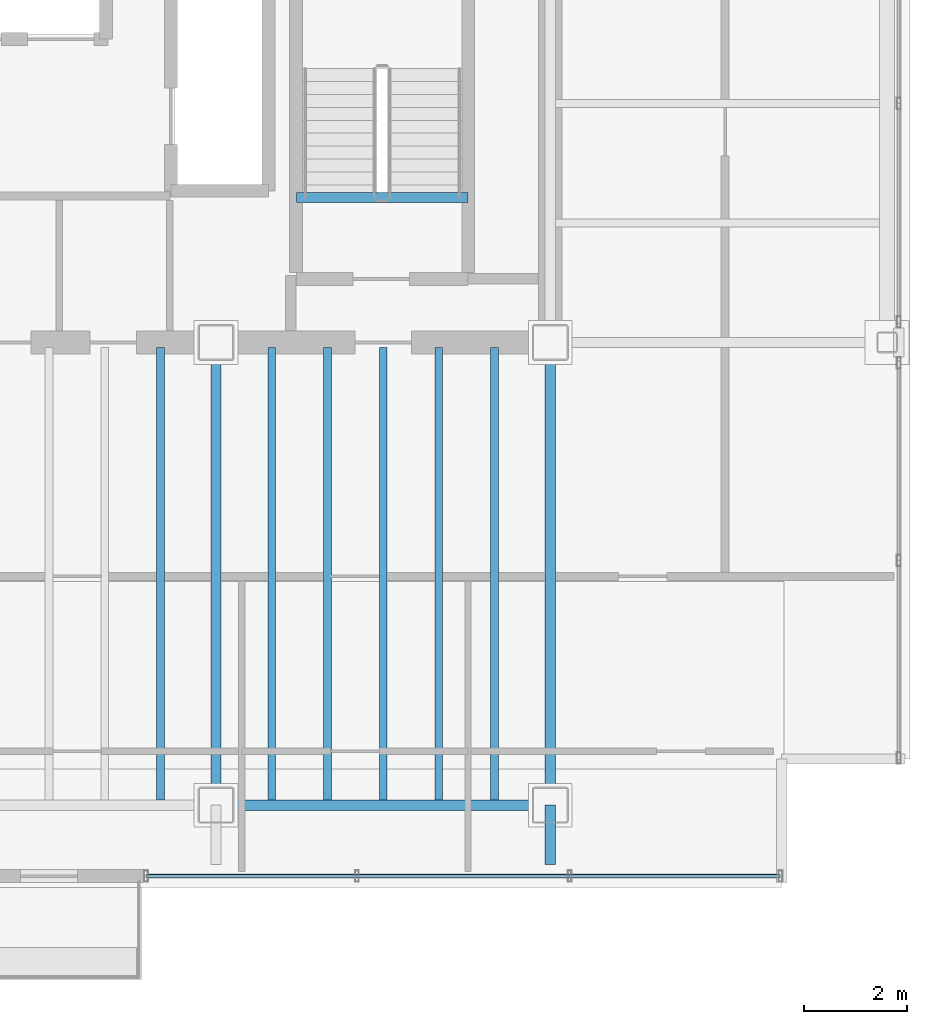
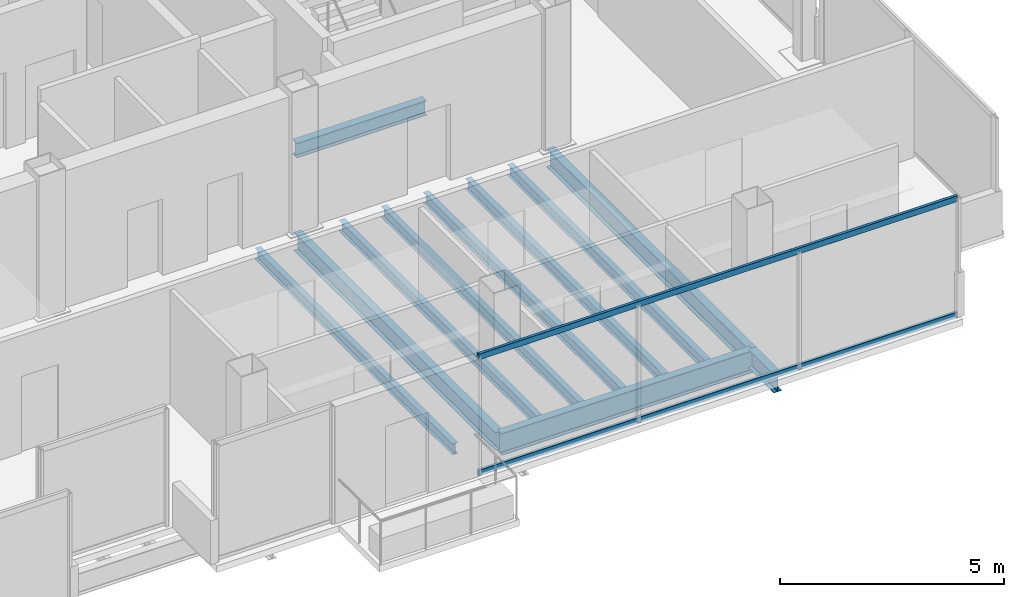
# One storey, part 7 of 17: 11 beams, 2 members, 1 element without a shape of its own.
"""IFC4 building model written with IfcOpenShell, lengths in metres."""

from ifc_helpers import new_model, si_unit, direction, frame, origin, origin_2d, place, context, subcontext, project, spatial, hollow_rectangle, i_section, extrude, material, material_profile, profile_set, type_object, element, aggregate, save


model = new_model("IFC4")

# Units and contexts
model_context = context("Model", 3, precision=1e-05, world=origin(), true_north=direction((0.0, 1.0)))
body_context = subcontext(model_context, "Body", "Model", "MODEL_VIEW")
ifc_project = project(units=[si_unit("LENGTHUNIT", "METRE"), si_unit("AREAUNIT", "SQUARE_METRE"), si_unit("VOLUMEUNIT", "CUBIC_METRE"), si_unit("PLANEANGLEUNIT", "RADIAN"), si_unit("MASSUNIT", "GRAM", prefix="KILO")], contexts=[model_context])

# Site, building, storey
site_placement = place(None, origin())
site = spatial("IfcSite", under=ifc_project, at=site_placement, CompositionType="ELEMENT")
building_placement = place(site_placement, origin())
building = spatial("IfcBuilding", under=site, at=building_placement, Name="Noeulbin Bourse Tower", CompositionType="ELEMENT")
storey_placement = place(building_placement, frame((0.0, 0.0, 293.0)))
storey = spatial("IfcBuildingStorey", under=building, at=storey_placement, Name="L73", CompositionType="ELEMENT", Elevation=293.0)

# Beams
ifc_material_1 = material(Name="Steel S355", Category="steel")
ifc_material_profile_1 = material_profile(ifc_material_1, i_section(OverallWidth=0.199951171875, OverallDepth=0.5, WebThickness=0.010009765625, FlangeThickness=0.01611328125, FilletRadius=0.02001953125, at=origin_2d()), Name="H-500x200x10x16", Category="LoadBearing")
ifc_profile_set_1 = profile_set([ifc_material_profile_1], Name="Steel S355")
beam_type_1 = type_object("IfcBeamType", Name="BM-GRD-500", PredefinedType="USERDEFINED", material=ifc_profile_set_1)
beam_1_placement = place(storey_placement, frame((37.5, 20.0, -0.429931640625), z_axis=(0.0, 1.0, 0.0), x_axis=(-1.0, 0.0, 0.0)))
element("IfcBeam", 1, at=beam_1_placement, inside=storey, type_object=beam_type_1, Name="Tower Primary Girder NS L73-4.2", ObjectType="GIRDER", PredefinedType="USERDEFINED", context=body_context, shape_type="SweptSolid", body=[
    extrude(i_section(OverallWidth=0.199951171875, OverallDepth=0.5, WebThickness=0.010009765625, FlangeThickness=0.01611328125, FilletRadius=0.02001953125, at=origin_2d()), origin(), (0.0, 0.0, 1.0), 9.0),
])
beam_2_placement = place(storey_placement, frame((44.0, 18.85009765625, -0.429931640625), z_axis=(0.0, 1.0, 0.0), x_axis=(-1.0, 0.0, 0.0)))
element("IfcBeam", 2, at=beam_2_placement, inside=storey, type_object=beam_type_1, Name="Tower Primary Girder NS L73-5.1", ObjectType="GIRDER", PredefinedType="USERDEFINED", context=body_context, shape_type="SweptSolid", body=[
    extrude(i_section(OverallWidth=0.199951171875, OverallDepth=0.5, WebThickness=0.010009765625, FlangeThickness=0.01611328125, FilletRadius=0.02001953125, at=origin_2d()), origin(), (0.0, 0.0, 1.0), 1.14990234375),
])
beam_3_placement = place(storey_placement, frame((44.0, 20.0, -0.429931640625), z_axis=(0.0, 1.0, 0.0), x_axis=(-1.0, 0.0, 0.0)))
element("IfcBeam", 3, at=beam_3_placement, inside=storey, type_object=beam_type_1, Name="Tower Primary Girder NS L73-5.2", ObjectType="GIRDER", PredefinedType="USERDEFINED", context=body_context, shape_type="SweptSolid", body=[
    extrude(i_section(OverallWidth=0.199951171875, OverallDepth=0.5, WebThickness=0.010009765625, FlangeThickness=0.01611328125, FilletRadius=0.02001953125, at=origin_2d()), origin(), (0.0, 0.0, 1.0), 9.0),
])
ifc_material_profile_2 = material_profile(ifc_material_1, i_section(OverallWidth=0.199951171875, OverallDepth=0.60009765625, WebThickness=0.010986328125, FlangeThickness=0.01708984375, FilletRadius=0.02197265625, at=origin_2d()), Name="H-600x200x11x17", Category="LoadBearing")
ifc_profile_set_2 = profile_set([ifc_material_profile_2], Name="Steel S355")
beam_type_2 = type_object("IfcBeamType", Name="BM-GRD-600", PredefinedType="USERDEFINED", material=ifc_profile_set_2)
beam_4_placement = place(storey_placement, frame((37.5, 20.0, -0.47998046875), z_axis=(1.0, 0.0, 0.0), x_axis=(0.0, 1.0, 0.0)))
element("IfcBeam", 4, at=beam_4_placement, inside=storey, type_object=beam_type_2, Name="Tower Primary Girder EW L73-1.3", ObjectType="GIRDER", PredefinedType="USERDEFINED", context=body_context, shape_type="SweptSolid", body=[
    extrude(i_section(OverallWidth=0.199951171875, OverallDepth=0.60009765625, WebThickness=0.010986328125, FlangeThickness=0.01708984375, FilletRadius=0.02197265625, at=origin_2d()), origin(), (0.0, 0.0, 1.0), 6.5),
])
ifc_material_profile_3 = material_profile(ifc_material_1, i_section(OverallWidth=0.14990234375, OverallDepth=0.300048828125, WebThickness=0.006591796875, FlangeThickness=0.009033203125, FilletRadius=0.012939453125, at=origin_2d()), Name="H-300x150x6.5x9", Category="LoadBearing")
ifc_profile_set_3 = profile_set([ifc_material_profile_3], Name="Steel S355")
beam_type_3 = type_object("IfcBeamType", Name="BM-JST-300", PredefinedType="JOIST", material=ifc_profile_set_3)
for number, where, z_axis, x_axis, name in (
    (5, (36.416748046875, 20.10009765625, -0.330078125), (0.0, 1.0, 0.0), (-1.0, 0.0, 0.0), "Tower Composite Joist L73-19"),
    (6, (38.583251953125, 20.10009765625, -0.330078125), (0.0, 1.0, 0.0), (-1.0, 0.0, 0.0), "Tower Composite Joist L73-21"),
    (7, (39.666748046875, 20.10009765625, -0.330078125), (0.0, 1.0, 0.0), (-1.0, 0.0, 0.0), "Tower Composite Joist L73-23"),
    (8, (40.75, 20.10009765625, -0.330078125), (0.0, 1.0, 0.0), (-1.0, 0.0, 0.0), "Tower Composite Joist L73-25"),
    (9, (41.833251953125, 20.10009765625, -0.330078125), (0.0, 1.0, 0.0), (-1.0, 0.0, 0.0), "Tower Composite Joist L73-27"),
    (10, (42.916748046875, 20.10009765625, -0.330078125), (0.0, 1.0, 0.0), (-1.0, 0.0, 0.0), "Tower Composite Joist L73-29"),
):
    element("IfcBeam", number, at=place(storey_placement, frame(where, z_axis=z_axis, x_axis=x_axis)), inside=storey, type_object=beam_type_3, Name=name, PredefinedType="JOIST", context=body_context, shape_type="SweptSolid", body=[
        extrude(i_section(OverallWidth=0.14990234375, OverallDepth=0.300048828125, WebThickness=0.006591796875, FlangeThickness=0.009033203125, FilletRadius=0.012939453125, at=origin_2d()), origin(), (0.0, 0.0, 1.0), 8.7998046875),
    ])
ifc_material_profile_4 = material_profile(ifc_material_1, i_section(OverallWidth=0.199951171875, OverallDepth=0.39990234375, WebThickness=0.008056640625, FlangeThickness=0.012939453125, FilletRadius=0.01611328125, at=origin_2d()), Name="H-400x200x8x13", Category="LoadBearing")
ifc_profile_set_4 = profile_set([ifc_material_profile_4], Name="Steel S355")
beam_type_4 = type_object("IfcBeamType", Name="BM-SEC-400", PredefinedType="BEAM", material=ifc_profile_set_4)
beam_5_placement = place(storey_placement, frame((39.06005859375, 31.820068359375, -0.199951171875), z_axis=(1.0, 0.0, 0.0), x_axis=(0.0, 1.0, 0.0)))
element("IfcBeam", 11, at=beam_5_placement, inside=storey, type_object=beam_type_4, Name="Stair Threshold Trimmer Beam ST2-L73", PredefinedType="BEAM", context=body_context, shape_type="SweptSolid", body=[
    extrude(i_section(OverallWidth=0.199951171875, OverallDepth=0.39990234375, WebThickness=0.008056640625, FlangeThickness=0.012939453125, FilletRadius=0.01611328125, at=origin_2d()), origin(), (0.0, 0.0, 1.0), 3.33984375),
])

# Curtain wall, members
ifc_material_2 = material(Name="High-Selectivity Low-Iron Glazing", Category="glass")
curtain_wall_type = type_object("IfcCurtainWallType", Name="CW-SYS-4", PredefinedType="NOTDEFINED", material=ifc_material_2)
curtain_wall_placement = place(storey_placement, origin())
curtain_wall = element("IfcCurtainWall", 12, at=curtain_wall_placement, inside=storey, type_object=curtain_wall_type, Name="Unitised Curtain Wall CW-L73-S3", PredefinedType="NOTDEFINED")
ifc_material_3 = material(Name="Anodised Aluminium 6063-T6", Category="aluminium")
ifc_material_profile_5 = material_profile(ifc_material_3, hollow_rectangle(XDim=0.074951171875, YDim=0.159912109375, WallThickness=0.0048828125, InnerFilletRadius=0.00244140625, OuterFilletRadius=0.0048828125, at=origin_2d()), Name="ALU-TRAN-75x160x5", Category="LoadBearing")
ifc_profile_set_5 = profile_set([ifc_material_profile_5], Name="Anodised Aluminium 6063-T6")
member_type = type_object("IfcMemberType", Name="CW-SYS-4-TRN", PredefinedType="USERDEFINED", material=ifc_profile_set_5)
member_1_placement = place(storey_placement, frame((36.14990234375, 18.6201171875, 0.010009765625), z_axis=(1.0, 0.0, 0.0), x_axis=(0.0, 1.0, 0.0)))
member_1 = element("IfcMember", 13, at=member_1_placement, type_object=member_type, Name="Curtain Wall Transom CW-L73-S3-T00", ObjectType="TRANSOM", PredefinedType="USERDEFINED", context=body_context, shape_type="SweptSolid", body=[
    extrude(hollow_rectangle(XDim=0.074951171875, YDim=0.159912109375, WallThickness=0.0048828125, InnerFilletRadius=0.00244140625, OuterFilletRadius=0.0048828125, at=origin_2d()), origin(), (0.0, 0.0, 1.0), 12.320068359375),
])
member_2_placement = place(storey_placement, frame((36.14990234375, 18.6201171875, 3.169921875), z_axis=(1.0, 0.0, 0.0), x_axis=(0.0, 1.0, 0.0)))
member_2 = element("IfcMember", 14, at=member_2_placement, type_object=member_type, Name="Curtain Wall Transom CW-L73-S3-T01", ObjectType="TRANSOM", PredefinedType="USERDEFINED", context=body_context, shape_type="SweptSolid", body=[
    extrude(hollow_rectangle(XDim=0.074951171875, YDim=0.159912109375, WallThickness=0.0048828125, InnerFilletRadius=0.00244140625, OuterFilletRadius=0.0048828125, at=origin_2d()), origin(), (0.0, 0.0, 1.0), 12.320068359375),
])
aggregate(curtain_wall, [member_1, member_2])

save(model, "model.ifc")
